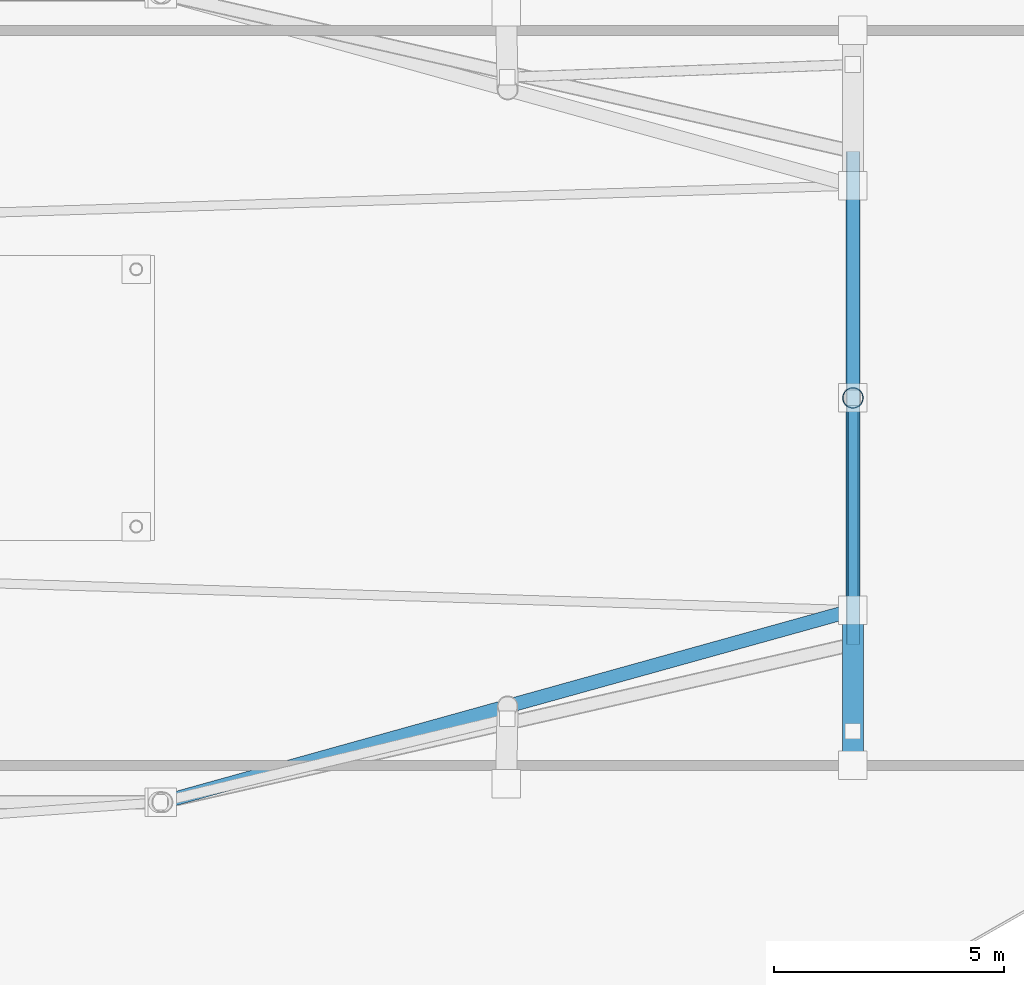
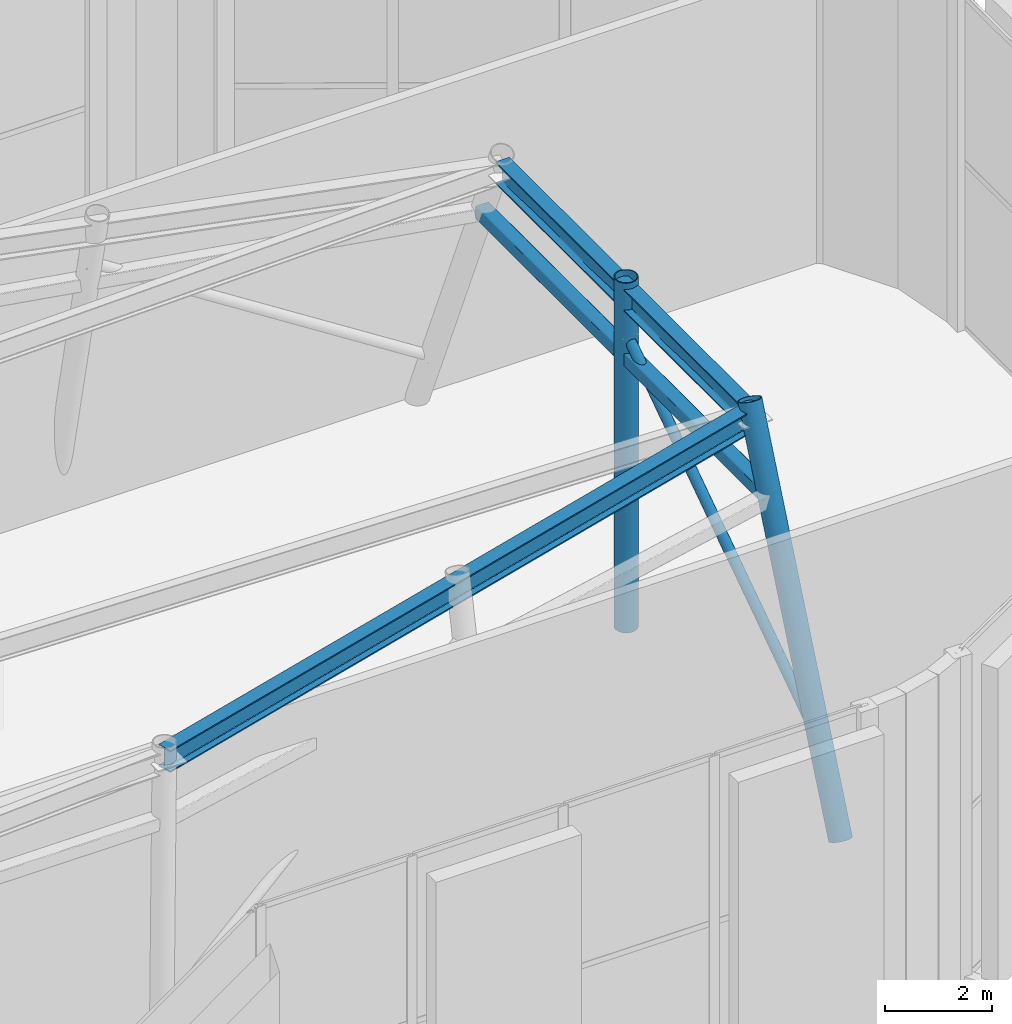
# One storey, part 13 of 22: 4 members, 2 beams.
"""IFC4 building model written with IfcOpenShell, lengths in metres."""

from ifc_helpers import new_model, si_unit, direction, frame, origin, origin_2d, place, context, subcontext, project, spatial, hollow_rectangle, hollow_circle, i_section, extrude, material, material_profile, profile_set, type_object, element, save


model = new_model("IFC4")

# Units and contexts
model_context = context("Model", 3, precision=1e-05, world=origin(), true_north=direction((0.0, 1.0)))
body_context = subcontext(model_context, "Body", "Model", "MODEL_VIEW")
ifc_project = project(units=[si_unit("LENGTHUNIT", "METRE"), si_unit("AREAUNIT", "SQUARE_METRE"), si_unit("VOLUMEUNIT", "CUBIC_METRE"), si_unit("PLANEANGLEUNIT", "RADIAN"), si_unit("MASSUNIT", "GRAM", prefix="KILO")], contexts=[model_context])

# Site, building, storey
site_placement = place(None, origin())
site = spatial("IfcSite", under=ifc_project, at=site_placement, CompositionType="ELEMENT")
building_placement = place(site_placement, origin())
building = spatial("IfcBuilding", under=site, at=building_placement, Name="An Khanh Terracotta Commons", CompositionType="ELEMENT")
storey_placement = place(building_placement, frame((0.0, 0.0, 300.39990234375)))
storey = spatial("IfcBuildingStorey", under=building, at=storey_placement, Name="L78 Crown Damper Chamber", CompositionType="ELEMENT", Elevation=300.39990234375)

# Beams
ifc_material_1 = material(Name="Steel S355J2", Category="steel")
ifc_material_profile_1 = material_profile(ifc_material_1, i_section(OverallWidth=0.300048828125, OverallDepth=0.5, WebThickness=0.014404296875, FlangeThickness=0.028076171875, FilletRadius=0.027099609375, at=origin_2d()), Name="HEB500")
ifc_profile_set_1 = profile_set([ifc_material_profile_1], Name="Steel S355J2")
beam_type = type_object("IfcBeamType", Name="BM-HEB500", PredefinedType="BEAM", material=ifc_profile_set_1)
beam_1_placement = place(storey_placement, frame((48.3701171875, 15.199951171875, 7.130126953125), z_axis=(0.963435354668, 0.267940884105, 0.0), x_axis=(-0.267940884105, 0.963435354668, 0.0)))
element("IfcBeam", 1, at=beam_1_placement, inside=storey, type_object=beam_type, Name="L78 Crown Damper Chamber CROWN FRAME Ring Beam 2", PredefinedType="BEAM", context=body_context, shape_type="SweptSolid", body=[
    extrude(i_section(OverallWidth=0.300048828125, OverallDepth=0.5, WebThickness=0.014404296875, FlangeThickness=0.028076171875, FilletRadius=0.027099609375, at=origin_2d()), origin(), (0.0, 0.0, 1.0), 15.60009765625),
])
beam_2_placement = place(storey_placement, frame((63.39990234375, 19.3798828125, 7.130126953125), z_axis=(0.0, 1.0, 0.0), x_axis=(-1.0, 0.0, 0.0)))
element("IfcBeam", 2, at=beam_2_placement, inside=storey, type_object=beam_type, Name="L78 Crown Damper Chamber CROWN FRAME Ring Beam 3", PredefinedType="BEAM", context=body_context, shape_type="SweptSolid", body=[
    extrude(i_section(OverallWidth=0.300048828125, OverallDepth=0.5, WebThickness=0.014404296875, FlangeThickness=0.028076171875, FilletRadius=0.027099609375, at=origin_2d()), origin(), (0.0, 0.0, 1.0), 9.240234375),
])

# Members
ifc_material_2 = material(Name="Steel S460ML", Category="steel")
ifc_material_profile_2 = material_profile(ifc_material_2, hollow_circle(Radius=0.109619140625, WallThickness=0.010009765625, at=origin_2d()), Name="CHS219.1x10")
ifc_profile_set_2 = profile_set([ifc_material_profile_2], Name="Steel S460ML")
member_type_1 = type_object("IfcMemberType", Name="CROWN FRAME BRACE CHS219", PredefinedType="BRACE", material=ifc_profile_set_2)
member_1_placement = place(storey_placement, frame((63.39990234375, 16.743896484375, 1.302978515625), z_axis=(0.0, 0.826503173728, 0.562932059681), x_axis=(-1.0, 0.0, 0.0)))
element("IfcMember", 3, at=member_1_placement, inside=storey, type_object=member_type_1, Name="L78 Crown Damper Chamber CROWN FRAME Wind Diagonal 3", PredefinedType="BRACE", context=body_context, shape_type="SweptSolid", body=[
    extrude(hollow_circle(Radius=0.109619140625, WallThickness=0.010009765625, at=origin_2d()), origin(), (0.0, 0.0, 1.0), 8.779296875),
])
ifc_material_profile_3 = material_profile(ifc_material_2, hollow_circle(Radius=0.228515625, WallThickness=0.02001953125, at=origin_2d()), Name="CHS457x20")
ifc_profile_set_3 = profile_set([ifc_material_profile_3], Name="Steel S460ML")
member_type_2 = type_object("IfcMemberType", Name="CROWN FRAME RIB CHS457", PredefinedType="STRUT", material=ifc_profile_set_3)
member_2_placement = place(storey_placement, frame((63.39990234375, 16.0, -0.449951171875), z_axis=(0.0, 0.390420928365, 0.920636463918), x_axis=(-1.0, 0.0, 0.0)))
element("IfcMember", 4, at=member_2_placement, inside=storey, type_object=member_type_2, Name="L78 Crown Damper Chamber CROWN FRAME Corner Raking Rib 3", PredefinedType="STRUT", context=body_context, shape_type="SweptSolid", body=[
    extrude(hollow_circle(Radius=0.228515625, WallThickness=0.02001953125, at=origin_2d()), origin(), (0.0, 0.0, 1.0), 8.656982421875),
])
member_3_placement = place(storey_placement, frame((63.39990234375, 24.0, -0.449951171875), z_axis=(0.0, 0.0, 1.0), x_axis=(1.0, 0.0, 0.0)))
element("IfcMember", 5, at=member_3_placement, inside=storey, type_object=member_type_2, Name="L78 Crown Damper Chamber CROWN FRAME Facet Strut 3", PredefinedType="STRUT", context=body_context, shape_type="SweptSolid", body=[
    extrude(hollow_circle(Radius=0.228515625, WallThickness=0.02001953125, at=origin_2d()), origin(), (0.0, 0.0, 1.0), 7.969970703125),
])
ifc_material_profile_4 = material_profile(ifc_material_2, hollow_rectangle(XDim=0.300048828125, YDim=0.300048828125, WallThickness=0.01611328125, InnerFilletRadius=0.01611328125, OuterFilletRadius=0.031982421875, at=origin_2d()), Name="SHS300x300x16")
ifc_profile_set_4 = profile_set([ifc_material_profile_4], Name="Steel S460ML")
member_type_3 = type_object("IfcMemberType", Name="CROWN FRAME RING SHS300", PredefinedType="CHORD", material=ifc_profile_set_4)
member_4_placement = place(storey_placement, frame((63.39990234375, 18.635986328125, 5.76708984375), z_axis=(0.0, 1.0, 0.0), x_axis=(-1.0, 0.0, 0.0)))
element("IfcMember", 6, at=member_4_placement, inside=storey, type_object=member_type_3, Name="L78 Crown Damper Chamber CROWN FRAME Sill Ring Chord 3", PredefinedType="CHORD", context=body_context, shape_type="SweptSolid", body=[
    extrude(hollow_rectangle(XDim=0.300048828125, YDim=0.300048828125, WallThickness=0.01611328125, InnerFilletRadius=0.01611328125, OuterFilletRadius=0.031982421875, at=origin_2d()), origin(), (0.0, 0.0, 1.0), 10.72802734375),
])

save(model, "model.ifc")
